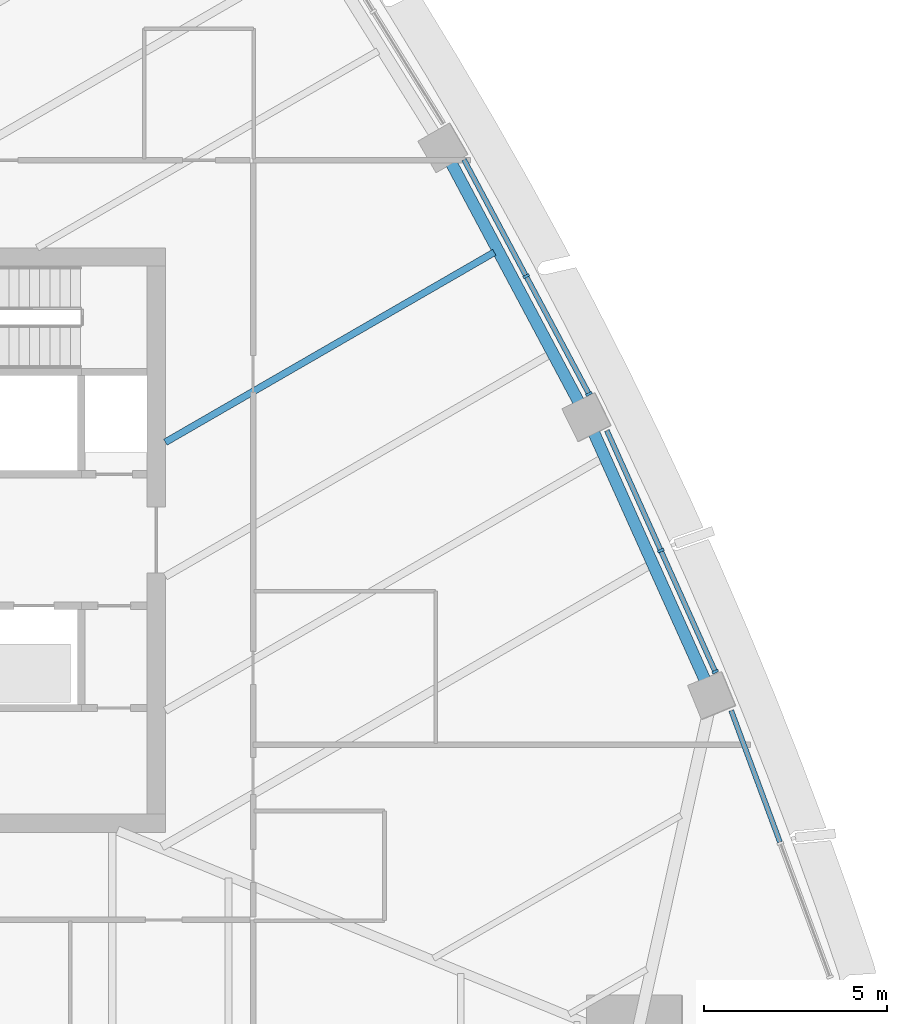
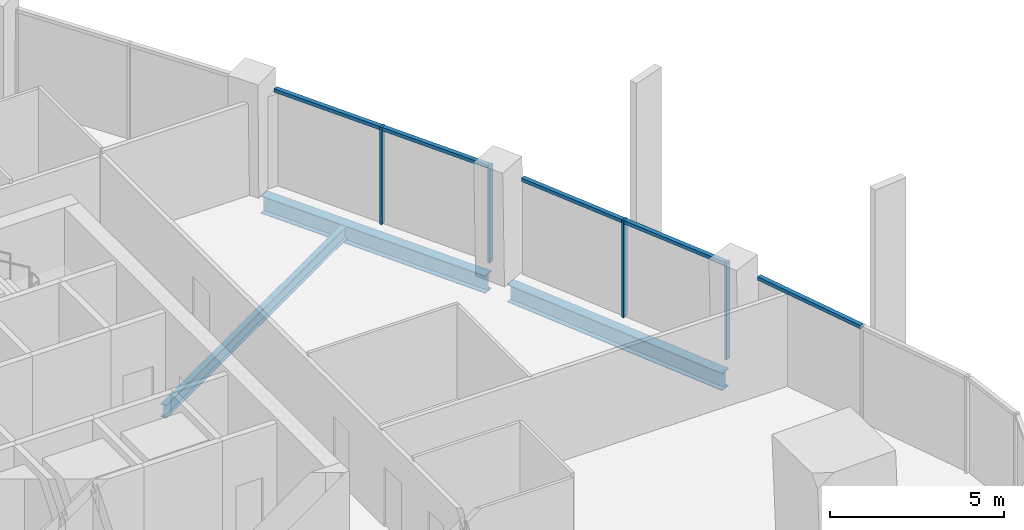
# One storey, part 5 of 17: 9 members, 3 beams, 3 elements without a shape of their own.
"""IFC4 building model written with IfcOpenShell, lengths in metres."""

from ifc_helpers import new_model, si_unit, direction, frame, origin, origin_2d, place, context, subcontext, project, spatial, rectangle, i_section, extrude, material, layer, layer_set, material_profile, profile_set, type_object, element, aggregate, save


model = new_model("IFC4")

# Units and contexts
model_context = context("Model", 3, precision=1e-05, world=origin(), true_north=direction((0.0, 1.0)))
body_context = subcontext(model_context, "Body", "Model", "MODEL_VIEW")
ifc_project = project(units=[si_unit("LENGTHUNIT", "METRE"), si_unit("AREAUNIT", "SQUARE_METRE"), si_unit("VOLUMEUNIT", "CUBIC_METRE"), si_unit("PLANEANGLEUNIT", "RADIAN"), si_unit("MASSUNIT", "GRAM", prefix="KILO")], contexts=[model_context])

# Site, building, storey
site_placement = place(None, origin())
site = spatial("IfcSite", under=ifc_project, at=site_placement, CompositionType="ELEMENT")
building_placement = place(site_placement, origin())
building = spatial("IfcBuilding", under=site, at=building_placement, Name="Sierra Prisma Convention Tower", CompositionType="ELEMENT")
storey_placement = place(building_placement, frame((0.0, 0.0, 169.800048828125)))
storey = spatial("IfcBuildingStorey", under=building, at=storey_placement, Name="L37", CompositionType="ELEMENT", Elevation=169.800048828125)

# Curtain wall, members
ifc_material_1 = material(Name="Aluminium and glass curtain wall", Category="aluminium")
ifc_layer = layer(ifc_material_1, 0.179931640625)
ifc_layer_set = layer_set([ifc_layer], Name="CW-1 Plain shaft curtain wall")
curtain_wall_type = type_object("IfcCurtainWallType", Name="CW-1 Plain shaft curtain wall", PredefinedType="NOTDEFINED", material=ifc_layer_set)
curtain_wall_1_placement = place(storey_placement, origin())
curtain_wall_1 = element("IfcCurtainWall", 1, at=curtain_wall_1_placement, inside=storey, type_object=curtain_wall_type, Name="CW-1 NE2 L37", PredefinedType="NOTDEFINED")
ifc_material_2 = material(Name="Aluminium 6063-T6 bronze anodised", Category="aluminium")
ifc_material_profile_1 = material_profile(ifc_material_2, rectangle(XDim=0.179931640625, YDim=0.070068359375, at=origin_2d()), Name="ALU MULLION 70x180")
ifc_profile_set_1 = profile_set([ifc_material_profile_1], Name="Aluminium 6063-T6 bronze anodised")
member_type_1 = type_object("IfcMemberType", Name="CW mullion bronze", PredefinedType="MULLION", material=ifc_profile_set_1)
member_1_placement = place(storey_placement, frame((26.05419921875, -3.603759765625, 0.0), z_axis=(0.0, 0.0, 1.0), x_axis=(-0.912092463954, -0.409984557268, 0.0)))
member_1 = element("IfcMember", 2, at=member_1_placement, type_object=member_type_1, Name="CW-1 mullion NE2.1", PredefinedType="MULLION", context=body_context, shape_type="SweptSolid", body=[
    extrude(rectangle(XDim=0.179931640625, YDim=0.070068359375, at=origin_2d()), origin(), (0.0, 0.0, 1.0), 3.39990234375),
])
member_2_placement = place(storey_placement, frame((24.563720703125, -0.28759765625, 0.0), z_axis=(0.0, 0.0, 1.0), x_axis=(-0.912092463954, -0.409984557268, 0.0)))
member_2 = element("IfcMember", 3, at=member_2_placement, type_object=member_type_1, Name="CW-1 mullion NE2.2", PredefinedType="MULLION", context=body_context, shape_type="SweptSolid", body=[
    extrude(rectangle(XDim=0.179931640625, YDim=0.070068359375, at=origin_2d()), origin(), (0.0, 0.0, 1.0), 3.39990234375),
])

curtain_wall_2_placement = place(storey_placement, origin())
curtain_wall_2 = element("IfcCurtainWall", 4, at=curtain_wall_2_placement, inside=storey, type_object=curtain_wall_type, Name="CW-1 NE3 L37", PredefinedType="NOTDEFINED")
member_3_placement = place(storey_placement, frame((22.59619140625, 3.99951171875, 0.0), z_axis=(0.0, 0.0, 1.0), x_axis=(-0.882390161401, -0.470518440726, 0.0)))
member_3 = element("IfcMember", 5, at=member_3_placement, type_object=member_type_1, Name="CW-1 mullion NE3.1", PredefinedType="MULLION", context=body_context, shape_type="SweptSolid", body=[
    extrude(rectangle(XDim=0.179931640625, YDim=0.070068359375, at=origin_2d()), origin(), (0.0, 0.0, 1.0), 3.39990234375),
])
member_4_placement = place(storey_placement, frame((20.8779296875, 7.221923828125, 0.0), z_axis=(0.0, 0.0, 1.0), x_axis=(-0.882390161401, -0.470518440726, 0.0)))
member_4 = element("IfcMember", 6, at=member_4_placement, type_object=member_type_1, Name="CW-1 mullion NE3.2", PredefinedType="MULLION", context=body_context, shape_type="SweptSolid", body=[
    extrude(rectangle(XDim=0.179931640625, YDim=0.070068359375, at=origin_2d()), origin(), (0.0, 0.0, 1.0), 3.39990234375),
])

# Curtain wall, member
curtain_wall_3_placement = place(storey_placement, origin())
curtain_wall_3 = element("IfcCurtainWall", 7, at=curtain_wall_3_placement, inside=storey, type_object=curtain_wall_type, Name="CW-1 NE1 L37", PredefinedType="NOTDEFINED")
ifc_material_3 = material(Name="Aluminium 6063-T6 bronze anodised", Category="aluminium")
ifc_material_profile_2 = material_profile(ifc_material_3, rectangle(XDim=0.139892578125, YDim=0.1201171875, at=origin_2d()), Name="ALU TRANSOM 120x140")
ifc_profile_set_2 = profile_set([ifc_material_profile_2], Name="Aluminium 6063-T6 bronze anodised")
member_type_2 = type_object("IfcMemberType", Name="CW transom bronze", PredefinedType="USERDEFINED", material=ifc_profile_set_2)
member_5_placement = place(storey_placement, frame((27.823974609375, -8.265625, 3.33984375), z_axis=(-0.347558804606, 0.937658187903, 0.0), x_axis=(-0.937658187903, -0.347558804606, 0.0)))
member_5 = element("IfcMember", 8, at=member_5_placement, type_object=member_type_2, Name="CW-1 transom NE1.2", ObjectType="TRANSOM", PredefinedType="USERDEFINED", context=body_context, shape_type="SweptSolid", body=[
    extrude(rectangle(XDim=0.139892578125, YDim=0.1201171875, at=origin_2d()), origin(), (0.0, 0.0, 1.0), 3.838134765625),
])
aggregate(curtain_wall_3, [member_5])

# Member
member_6_placement = place(storey_placement, frame((26.0400390625, -3.572021484375, 3.33984375), z_axis=(-0.410028736413, 0.912072604191, 0.0), x_axis=(-0.912072604191, -0.410028736413, 0.0)))
member_6 = element("IfcMember", 9, at=member_6_placement, type_object=member_type_2, Name="CW-1 transom NE2.1", ObjectType="TRANSOM", PredefinedType="USERDEFINED", context=body_context, shape_type="SweptSolid", body=[
    extrude(rectangle(XDim=0.139892578125, YDim=0.1201171875, at=origin_2d()), origin(), (0.0, 0.0, 1.0), 3.56591796875),
])

member_7_placement = place(storey_placement, frame((24.54931640625, -0.255615234375, 3.33984375), z_axis=(-0.409997383801, 0.912086698333, 0.0), x_axis=(-0.912086698333, -0.409997383801, 0.0)))
member_7 = element("IfcMember", 10, at=member_7_placement, type_object=member_type_2, Name="CW-1 transom NE2.2", ObjectType="TRANSOM", PredefinedType="USERDEFINED", context=body_context, shape_type="SweptSolid", body=[
    extrude(rectangle(XDim=0.139892578125, YDim=0.1201171875, at=origin_2d()), origin(), (0.0, 0.0, 1.0), 3.565673828125),
])

aggregate(curtain_wall_1, [member_1, member_2, member_6, member_7])

member_8_placement = place(storey_placement, frame((22.57958984375, 4.030517578125, 3.33984375), z_axis=(-0.470506866098, 0.882396333262, 0.0), x_axis=(-0.882396333262, -0.470506866098, 0.0)))
member_8 = element("IfcMember", 11, at=member_8_placement, type_object=member_type_2, Name="CW-1 transom NE3.1", ObjectType="TRANSOM", PredefinedType="USERDEFINED", context=body_context, shape_type="SweptSolid", body=[
    extrude(rectangle(XDim=0.139892578125, YDim=0.1201171875, at=origin_2d()), origin(), (0.0, 0.0, 1.0), 3.581787109375),
])

member_9_placement = place(storey_placement, frame((20.861328125, 7.2529296875, 3.33984375), z_axis=(-0.470506866098, 0.882396333262, 0.0), x_axis=(-0.882396333262, -0.470506866098, 0.0)))
member_9 = element("IfcMember", 12, at=member_9_placement, type_object=member_type_2, Name="CW-1 transom NE3.2", ObjectType="TRANSOM", PredefinedType="USERDEFINED", context=body_context, shape_type="SweptSolid", body=[
    extrude(rectangle(XDim=0.139892578125, YDim=0.1201171875, at=origin_2d()), origin(), (0.0, 0.0, 1.0), 3.581787109375),
])

aggregate(curtain_wall_2, [member_3, member_4, member_8, member_9])

# Beams
ifc_material_4 = material(Name="Steel ASTM A992 Gr 50", Category="steel")
ifc_material_profile_3 = material_profile(ifc_material_4, i_section(OverallWidth=0.18994140625, OverallDepth=0.45703125, WebThickness=0.009033203125, FlangeThickness=0.014404296875, at=origin_2d()), Name="W460x74")
ifc_profile_set_3 = profile_set([ifc_material_profile_3], Name="Steel ASTM A992 Gr 50")
beam_type_1 = type_object("IfcBeamType", Name="Floor joist W460x74", PredefinedType="JOIST", material=ifc_profile_set_3)
beam_1_placement = place(storey_placement, frame((20.0048828125, 7.87646484375, -0.378662109375), z_axis=(-0.866025274956, -0.500000223137, 0.0), x_axis=(0.500000223137, -0.866025274956, 0.0)))
element("IfcBeam", 13, at=beam_1_placement, inside=storey, type_object=beam_type_1, Name="Floor joist L37 NE07", PredefinedType="JOIST", context=body_context, shape_type="SweptSolid", body=[
    extrude(i_section(OverallWidth=0.18994140625, OverallDepth=0.45703125, WebThickness=0.009033203125, FlangeThickness=0.014404296875, at=origin_2d()), origin(), (0.0, 0.0, 1.0), 10.39794921875),
])
ifc_material_5 = material(Name="Steel ASTM A992 Gr 50", Category="steel")
ifc_material_profile_4 = material_profile(ifc_material_5, i_section(OverallWidth=0.324951171875, OverallDepth=0.615966796875, WebThickness=0.013916015625, FlangeThickness=0.021484375, at=origin_2d()), Name="W610x174")
ifc_profile_set_4 = profile_set([ifc_material_profile_4], Name="Steel ASTM A992 Gr 50")
beam_type_2 = type_object("IfcBeamType", Name="Spandrel beam W610x174", PredefinedType="BEAM", material=ifc_profile_set_4)
beam_2_placement = place(storey_placement, frame((25.81201171875, -3.918212890625, -0.4580078125), z_axis=(-0.409978727728, 0.912095084303, 0.0), x_axis=(-0.912095084303, -0.409978727728, 0.0)))
element("IfcBeam", 14, at=beam_2_placement, inside=storey, type_object=beam_type_2, Name="Spandrel L37-08", PredefinedType="BEAM", context=body_context, shape_type="SweptSolid", body=[
    extrude(i_section(OverallWidth=0.324951171875, OverallDepth=0.615966796875, WebThickness=0.013916015625, FlangeThickness=0.021484375, at=origin_2d()), origin(), (0.0, 0.0, 1.0), 7.60205078125),
])
beam_3_placement = place(storey_placement, frame((22.3603515625, 3.697998046875, -0.4580078125), z_axis=(-0.470504886202, 0.882397388969, 0.0), x_axis=(-0.882397388969, -0.470504886202, 0.0)))
element("IfcBeam", 15, at=beam_3_placement, inside=storey, type_object=beam_type_2, Name="Spandrel L37-09", PredefinedType="BEAM", context=body_context, shape_type="SweptSolid", body=[
    extrude(i_section(OverallWidth=0.324951171875, OverallDepth=0.615966796875, WebThickness=0.013916015625, FlangeThickness=0.021484375, at=origin_2d()), origin(), (0.0, 0.0, 1.0), 7.601806640625),
])

save(model, "model.ifc")
